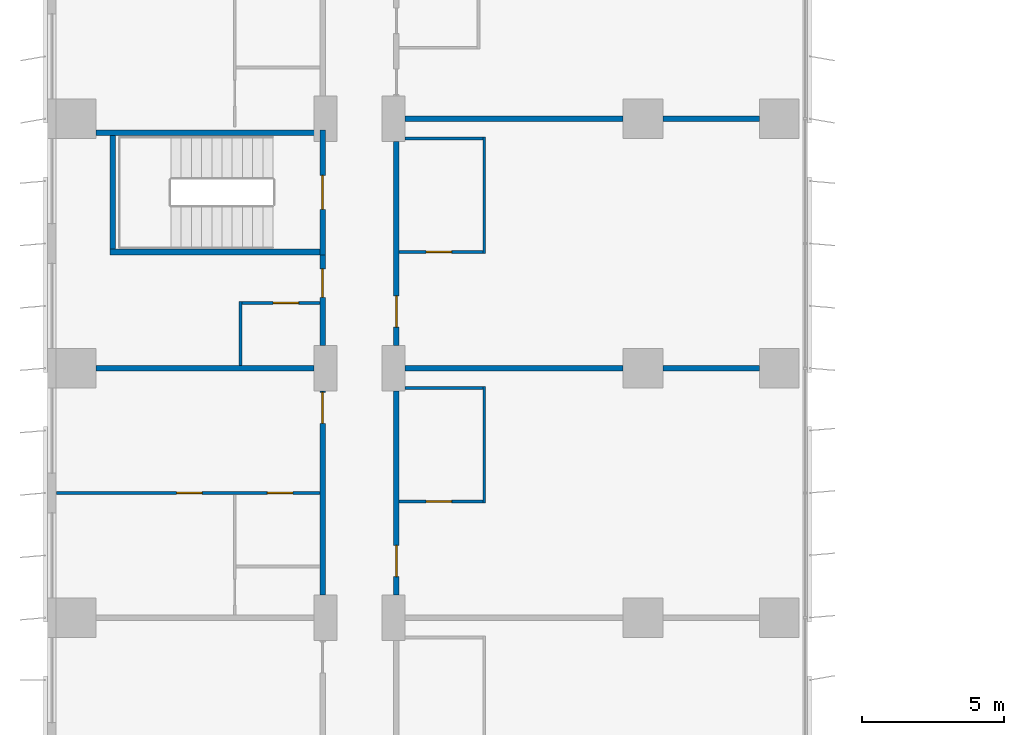
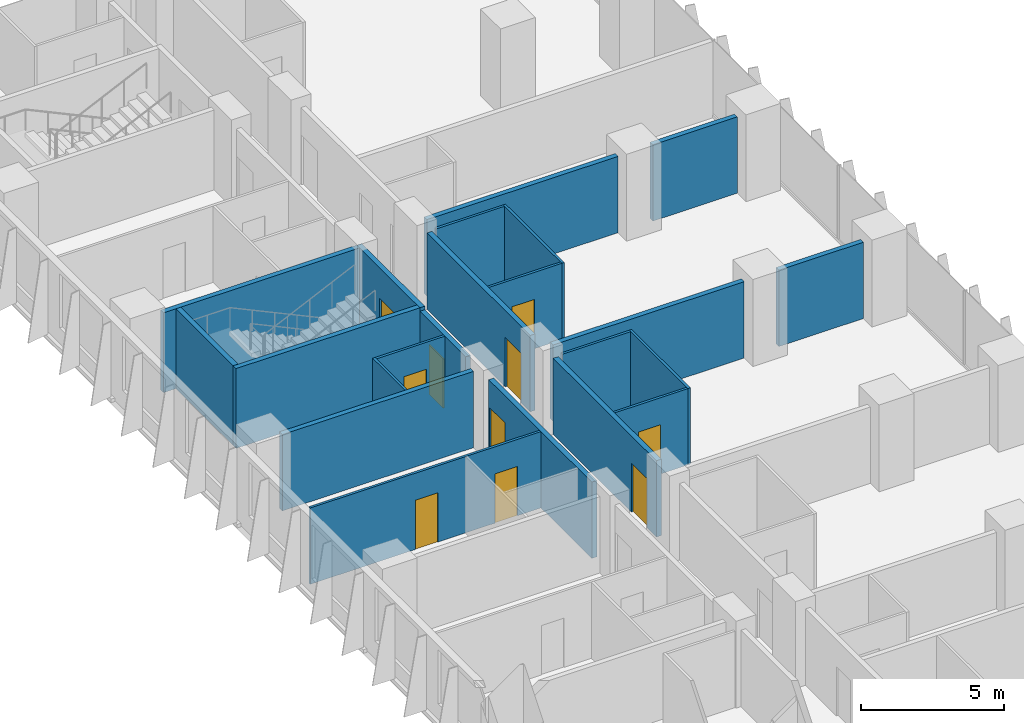
# One storey, part 17 of 24: 22 walls, 10 doors, 10 openings.
"""IFC4 building model written with IfcOpenShell, lengths in metres."""

from ifc_helpers import new_model, si_unit, direction, frame, frame_2d, origin, place, context, subcontext, project, spatial, rectangle, extrude, material, layer, layer_set, type_object, element, fill, save


model = new_model("IFC4")

# Units and contexts
model_context = context("Model", 3, precision=1e-05, world=origin(), true_north=direction((0.0, 1.0)))
body_context = subcontext(model_context, "Body", "Model", "MODEL_VIEW")
ifc_project = project(units=[si_unit("LENGTHUNIT", "METRE"), si_unit("AREAUNIT", "SQUARE_METRE"), si_unit("VOLUMEUNIT", "CUBIC_METRE"), si_unit("PLANEANGLEUNIT", "RADIAN"), si_unit("MASSUNIT", "GRAM", prefix="KILO")], contexts=[model_context])

# Site, building, storey
site_placement = place(None, origin())
site = spatial("IfcSite", under=ifc_project, at=site_placement, CompositionType="ELEMENT")
building_placement = place(site_placement, origin())
building = spatial("IfcBuilding", under=site, at=building_placement, Name="Kemantara Hotel Tower", CompositionType="ELEMENT")
storey_placement = place(building_placement, frame((0.0, 0.0, 79.699951171875)))
storey = spatial("IfcBuildingStorey", under=building, at=storey_placement, Name="L18", CompositionType="ELEMENT", Elevation=79.699951171875)

# Wall, opening, door
ifc_material_1 = material(Name="Gypsum board partition, steel studs and mineral wool, 200 mm", Category="steel")
ifc_layer_1 = layer(ifc_material_1, 0.199951171875)
ifc_layer_set_1 = layer_set([ifc_layer_1], Name="Gypsum board partition, steel studs and mineral wool, 200 mm")
wall_type_1 = type_object("IfcWallType", Name="CORRIDOR WALL 200", PredefinedType="PARTITIONING", material=ifc_layer_set_1)
wall_1_placement = place(storey_placement, frame((9.699951171875, 45.800048828125, 0.0), z_axis=(0.0, 0.0, 1.0), x_axis=(0.0, 1.0, 0.0)))
wall_1 = element("IfcWall", 1, at=wall_1_placement, inside=storey, type_object=wall_type_1, Name="CORRIDOR WALL 200 030", PredefinedType="PARTITIONING", context=body_context, shape_type="SweptSolid", body=[
    extrude(rectangle(XDim=7.199951171875, YDim=0.199951171875, at=frame_2d((3.60009765625, 0.0))), origin(), (0.0, 0.0, 1.0), 3.25),
])
opening_1_placement = place(wall_1_placement, frame((6.0498046875, 0.0, 0.0)))
opening_1 = element("IfcOpeningElement", 2, at=opening_1_placement, cuts=wall_1, Name="Opening F06-040", PredefinedType="OPENING", context=body_context, shape_type="SweptSolid", body=[
    extrude(rectangle(XDim=1.10009765625, YDim=2.10009765625, at=frame_2d((0.550048828125, 1.050048828125))), frame((0.0, 0.10986328125, 0.0), z_axis=(0.0, -1.0, 0.0), x_axis=(1.0, 0.0, 0.0)), (0.0, 0.0, 1.0), 0.219970703125),
])
ifc_material_2 = material(Name="Hardwood veneer door leaf with steel frame", Category="steel")
door_type_1 = type_object("IfcDoorType", Name="SUITE ENTRANCE DOOR 1100 X 2100 FD30S", OperationType="NOTDEFINED", PredefinedType="DOOR", material=ifc_material_2)
door_1_placement = place(opening_1_placement, origin())
door_1 = element("IfcDoor", 3, at=door_1_placement, inside=storey, type_object=door_type_1, Name="SUITE ENTRANCE DOOR F06-040", OperationType="SINGLE_SWING_RIGHT", OverallHeight=2.10009765625, OverallWidth=1.10009765625, PredefinedType="DOOR", context=body_context, shape_type="SweptSolid", body=[
    extrude(rectangle(XDim=1.10009765625, YDim=2.10009765625, at=frame_2d((0.550048828125, 1.050048828125))), frame((0.0, 0.02490234375, 0.0), z_axis=(0.0, -1.0, 0.0), x_axis=(1.0, 0.0, 0.0)), (0.0, 0.0, 1.0), 0.050048828125),
])
fill(opening_1, door_1)

wall_2_placement = place(storey_placement, frame((9.699951171875, 54.60009765625, 0.0), z_axis=(0.0, 0.0, 1.0), x_axis=(0.0, 1.0, 0.0)))
wall_2 = element("IfcWall", 4, at=wall_2_placement, inside=storey, type_object=wall_type_1, Name="CORRIDOR WALL 200 031", PredefinedType="PARTITIONING", context=body_context, shape_type="SweptSolid", body=[
    extrude(rectangle(XDim=3.199951171875, YDim=0.199951171875, at=frame_2d((1.60009765625, 0.0))), origin(), (0.0, 0.0, 1.0), 3.25),
])
opening_2_placement = place(wall_2_placement, frame((1.699951171875, 0.0, 0.0)))
opening_2 = element("IfcOpeningElement", 5, at=opening_2_placement, cuts=wall_2, Name="Opening F06-044", PredefinedType="OPENING", context=body_context, shape_type="SweptSolid", body=[
    extrude(rectangle(XDim=1.0, YDim=2.10009765625, at=frame_2d((0.5, 1.050048828125))), frame((0.0, 0.10986328125, 0.0), z_axis=(0.0, -1.0, 0.0), x_axis=(1.0, 0.0, 0.0)), (0.0, 0.0, 1.0), 0.219970703125),
])
door_type_2 = type_object("IfcDoorType", Name="GUEST ROOM DOOR 1000 X 2100 FD30S", OperationType="NOTDEFINED", PredefinedType="DOOR", material=ifc_material_2)
door_2_placement = place(opening_2_placement, origin())
door_2 = element("IfcDoor", 6, at=door_2_placement, inside=storey, type_object=door_type_2, Name="GUEST ROOM DOOR F06-044", OperationType="SINGLE_SWING_RIGHT", OverallHeight=2.10009765625, OverallWidth=1.0, PredefinedType="DOOR", context=body_context, shape_type="SweptSolid", body=[
    extrude(rectangle(XDim=1.0, YDim=2.10009765625, at=frame_2d((0.5, 1.050048828125))), frame((0.0, 0.02490234375, 0.0), z_axis=(0.0, -1.0, 0.0), x_axis=(1.0, 0.0, 0.0)), (0.0, 0.0, 1.0), 0.050048828125),
])
fill(opening_2, door_2)

wall_3_placement = place(storey_placement, frame((12.300048828125, 53.0, 0.0), z_axis=(0.0, 0.0, 1.0), x_axis=(0.0, -1.0, 0.0)))
wall_3 = element("IfcWall", 7, at=wall_3_placement, inside=storey, type_object=wall_type_1, Name="CORRIDOR WALL 200 047", PredefinedType="PARTITIONING", context=body_context, shape_type="SweptSolid", body=[
    extrude(rectangle(XDim=7.199951171875, YDim=0.199951171875, at=frame_2d((3.60009765625, 0.0))), origin(), (0.0, 0.0, 1.0), 3.25),
])
opening_3_placement = place(wall_3_placement, frame((5.449951171875, 0.0, 0.0)))
opening_3 = element("IfcOpeningElement", 8, at=opening_3_placement, cuts=wall_3, Name="Opening F06-058", PredefinedType="OPENING", context=body_context, shape_type="SweptSolid", body=[
    extrude(rectangle(XDim=1.10009765625, YDim=2.10009765625, at=frame_2d((0.550048828125, 1.050048828125))), frame((0.0, 0.10986328125, 0.0), z_axis=(0.0, -1.0, 0.0), x_axis=(1.0, 0.0, 0.0)), (0.0, 0.0, 1.0), 0.219970703125),
])
door_3_placement = place(opening_3_placement, origin())
door_3 = element("IfcDoor", 9, at=door_3_placement, inside=storey, type_object=door_type_1, Name="SUITE ENTRANCE DOOR F06-058", OperationType="SINGLE_SWING_RIGHT", OverallHeight=2.10009765625, OverallWidth=1.10009765625, PredefinedType="DOOR", context=body_context, shape_type="SweptSolid", body=[
    extrude(rectangle(XDim=1.10009765625, YDim=2.10009765625, at=frame_2d((0.550048828125, 1.050048828125))), frame((0.0, 0.02490234375, 0.0), z_axis=(0.0, -1.0, 0.0), x_axis=(1.0, 0.0, 0.0)), (0.0, 0.0, 1.0), 0.050048828125),
])
fill(opening_3, door_3)

wall_4_placement = place(storey_placement, frame((12.300048828125, 61.7998046875, 0.0), z_axis=(0.0, 0.0, 1.0), x_axis=(0.0, -1.0, 0.0)))
wall_4 = element("IfcWall", 10, at=wall_4_placement, inside=storey, type_object=wall_type_1, Name="CORRIDOR WALL 200 048", PredefinedType="PARTITIONING", context=body_context, shape_type="SweptSolid", body=[
    extrude(rectangle(XDim=7.19970703125, YDim=0.199951171875, at=frame_2d((3.599853515625, 0.0))), origin(), (0.0, 0.0, 1.0), 3.25),
])
opening_4_placement = place(wall_4_placement, frame((5.449951171875, 0.0, 0.0)))
opening_4 = element("IfcOpeningElement", 11, at=opening_4_placement, cuts=wall_4, Name="Opening F06-060", PredefinedType="OPENING", context=body_context, shape_type="SweptSolid", body=[
    extrude(rectangle(XDim=1.10009765625, YDim=2.10009765625, at=frame_2d((0.550048828125, 1.050048828125))), frame((0.0, 0.10986328125, 0.0), z_axis=(0.0, -1.0, 0.0), x_axis=(1.0, 0.0, 0.0)), (0.0, 0.0, 1.0), 0.219970703125),
])
door_4_placement = place(opening_4_placement, origin())
door_4 = element("IfcDoor", 12, at=door_4_placement, inside=storey, type_object=door_type_1, Name="SUITE ENTRANCE DOOR F06-060", OperationType="SINGLE_SWING_RIGHT", OverallHeight=2.10009765625, OverallWidth=1.10009765625, PredefinedType="DOOR", context=body_context, shape_type="SweptSolid", body=[
    extrude(rectangle(XDim=1.10009765625, YDim=2.10009765625, at=frame_2d((0.550048828125, 1.050048828125))), frame((0.0, 0.02490234375, 0.0), z_axis=(0.0, -1.0, 0.0), x_axis=(1.0, 0.0, 0.0)), (0.0, 0.0, 1.0), 0.050048828125),
])
fill(opening_4, door_4)

ifc_material_3 = material(Name="Concrete fc 40 MPa", Category="concrete")
ifc_layer_2 = layer(ifc_material_3, 0.199951171875)
ifc_layer_set_2 = layer_set([ifc_layer_2], Name="Concrete fc 40 MPa")
wall_type_2 = type_object("IfcWallType", Name="Concrete stair wall 200 mm", PredefinedType="SHEAR", material=ifc_layer_set_2)
wall_5_placement = place(storey_placement, frame((9.699951171875, 57.800048828125, 0.0), z_axis=(0.0, 0.0, 1.0), x_axis=(0.0, 1.0, 0.0)))
wall_5 = element("IfcWall", 13, at=wall_5_placement, inside=storey, type_object=wall_type_2, Name="Stair ST4 enclosure wall with door", PredefinedType="SHEAR", context=body_context, shape_type="SweptSolid", body=[
    extrude(rectangle(XDim=4.39990234375, YDim=0.199951171875, at=frame_2d((2.199951171875, 0.0))), origin(), (0.0, 0.0, 1.0), 3.400146484375),
])
opening_5_placement = place(wall_5_placement, frame((1.60009765625, 0.0, 0.0)))
opening_5 = element("IfcOpeningElement", 14, at=opening_5_placement, cuts=wall_5, Name="Opening ST4-C", PredefinedType="OPENING", context=body_context, shape_type="SweptSolid", body=[
    extrude(rectangle(XDim=1.199951171875, YDim=2.10009765625, at=frame_2d((0.60009765625, 1.050048828125))), frame((0.0, 0.10986328125, 0.0), z_axis=(0.0, -1.0, 0.0), x_axis=(1.0, 0.0, 0.0)), (0.0, 0.0, 1.0), 0.219970703125),
])
ifc_material_4 = material(Name="Steel fire door", Category="steel")
door_type_3 = type_object("IfcDoorType", Name="Fire door FD90 1200 x 2100", OperationType="NOTDEFINED", PredefinedType="DOOR", material=ifc_material_4)
door_5_placement = place(opening_5_placement, origin())
door_5 = element("IfcDoor", 15, at=door_5_placement, inside=storey, type_object=door_type_3, Name="Stair ST4 door", OperationType="SINGLE_SWING_RIGHT", OverallHeight=2.10009765625, OverallWidth=1.199951171875, PredefinedType="DOOR", context=body_context, shape_type="SweptSolid", body=[
    extrude(rectangle(XDim=1.199951171875, YDim=2.10009765625, at=frame_2d((0.60009765625, 1.050048828125))), frame((0.0, 0.02490234375, 0.0), z_axis=(0.0, -1.0, 0.0), x_axis=(1.0, 0.0, 0.0)), (0.0, 0.0, 1.0), 0.050048828125),
])
fill(opening_5, door_5)

# Walls
wall_6_placement = place(storey_placement, frame((1.699951171875, 62.10009765625, 0.0), z_axis=(0.0, 0.0, 1.0), x_axis=(1.0, 0.0, 0.0)))
element("IfcWall", 16, at=wall_6_placement, inside=storey, type_object=wall_type_2, Name="Stair ST4 enclosure wall N", PredefinedType="SHEAR", context=body_context, shape_type="SweptSolid", body=[
    extrude(rectangle(XDim=7.900146484375, YDim=0.199951171875, at=frame_2d((3.9501953125, 0.0))), origin(), (0.0, 0.0, 1.0), 3.400146484375),
])
wall_7_placement = place(storey_placement, frame((2.199951171875, 57.89990234375, 0.0), z_axis=(0.0, 0.0, 1.0), x_axis=(1.0, 0.0, 0.0)))
element("IfcWall", 17, at=wall_7_placement, inside=storey, type_object=wall_type_2, Name="Stair ST4 enclosure wall S", PredefinedType="SHEAR", context=body_context, shape_type="SweptSolid", body=[
    extrude(rectangle(XDim=7.400146484375, YDim=0.199951171875, at=frame_2d((3.7001953125, 0.0))), origin(), (0.0, 0.0, 1.0), 3.400146484375),
])
wall_8_placement = place(storey_placement, frame((2.300048828125, 58.0, 0.0), z_axis=(0.0, 0.0, 1.0), x_axis=(0.0, 1.0, 0.0)))
element("IfcWall", 18, at=wall_8_placement, inside=storey, type_object=wall_type_2, Name="Stair ST4 enclosure wall W", PredefinedType="SHEAR", context=body_context, shape_type="SweptSolid", body=[
    extrude(rectangle(XDim=4.0, YDim=0.199951171875, at=frame_2d((2.0, 0.0))), origin(), (0.0, 0.0, 1.0), 3.400146484375),
])
ifc_layer_3 = layer(ifc_material_1, 0.199951171875)
ifc_layer_set_3 = layer_set([ifc_layer_3], Name="Gypsum board partition, steel studs and mineral wool, 200 mm")
wall_type_3 = type_object("IfcWallType", Name="GUEST ROOM PARTY WALL 200", PredefinedType="PARTITIONING", material=ifc_layer_set_3)
for number, where, z_axis, x_axis, name in (
    (19, (1.7001953125, 53.800048828125, 0.0), (0.0, 0.0, 1.0), (1.0, 0.0, 0.0), "GUEST ROOM PARTY WALL 200 041"),
    (20, (12.60009765625, 53.800048828125, 0.0), (0.0, 0.0, 1.0), (1.0, 0.0, 0.0), "GUEST ROOM PARTY WALL 200 042"),
):
    element("IfcWall", number, at=place(storey_placement, frame(where, z_axis=z_axis, x_axis=x_axis)), inside=storey, type_object=wall_type_3, Name=name, PredefinedType="PARTITIONING", context=body_context, shape_type="SweptSolid", body=[
        extrude(rectangle(XDim=7.69970703125, YDim=0.199951171875, at=frame_2d((3.849853515625, 0.0))), origin(), (0.0, 0.0, 1.0), 3.25),
    ])
wall_9_placement = place(storey_placement, frame((21.7001953125, 53.800048828125, 0.0), z_axis=(0.0, 0.0, 1.0), x_axis=(1.0, 0.0, 0.0)))
element("IfcWall", 21, at=wall_9_placement, inside=storey, type_object=wall_type_3, Name="GUEST ROOM PARTY WALL 200 043", PredefinedType="PARTITIONING", context=body_context, shape_type="SweptSolid", body=[
    extrude(rectangle(XDim=3.399658203125, YDim=0.199951171875, at=frame_2d((1.69970703125, 0.0))), origin(), (0.0, 0.0, 1.0), 3.25),
])
wall_10_placement = place(storey_placement, frame((12.60009765625, 62.60009765625, 0.0), z_axis=(0.0, 0.0, 1.0), x_axis=(1.0, 0.0, 0.0)))
element("IfcWall", 22, at=wall_10_placement, inside=storey, type_object=wall_type_3, Name="GUEST ROOM PARTY WALL 200 055", PredefinedType="PARTITIONING", context=body_context, shape_type="SweptSolid", body=[
    extrude(rectangle(XDim=7.69970703125, YDim=0.199951171875, at=frame_2d((3.849853515625, 0.0))), origin(), (0.0, 0.0, 1.0), 3.25),
])
wall_11_placement = place(storey_placement, frame((21.7001953125, 62.60009765625, 0.0), z_axis=(0.0, 0.0, 1.0), x_axis=(1.0, 0.0, 0.0)))
element("IfcWall", 23, at=wall_11_placement, inside=storey, type_object=wall_type_3, Name="GUEST ROOM PARTY WALL 200 056", PredefinedType="PARTITIONING", context=body_context, shape_type="SweptSolid", body=[
    extrude(rectangle(XDim=3.399658203125, YDim=0.199951171875, at=frame_2d((1.69970703125, 0.0))), origin(), (0.0, 0.0, 1.0), 3.25),
])

# Wall, openings, doors
ifc_material_5 = material(Name="Gypsum board partition on steel studs, 100 mm", Category="steel")
ifc_layer_4 = layer(ifc_material_5, 0.10009765625)
ifc_layer_set_4 = layer_set([ifc_layer_4], Name="Gypsum board partition on steel studs, 100 mm")
wall_type_4 = type_object("IfcWallType", Name="ROOM PARTITION 100", PredefinedType="PARTITIONING", material=ifc_layer_set_4)
wall_12_placement = place(storey_placement, frame((0.31005859375, 49.39990234375, 0.0), z_axis=(0.0, 0.0, 1.0), x_axis=(1.0, 0.0, 0.0)))
wall_12 = element("IfcWall", 24, at=wall_12_placement, inside=storey, type_object=wall_type_4, Name="ROOM PARTITION 100 099", PredefinedType="PARTITIONING", context=body_context, shape_type="SweptSolid", body=[
    extrude(rectangle(XDim=9.2900390625, YDim=0.10009765625, at=frame_2d((4.64501953125, 0.0))), origin(), (0.0, 0.0, 1.0), 3.25),
])
opening_6_placement = place(wall_12_placement, frame((7.43994140625, 0.0, 0.0)))
opening_6 = element("IfcOpeningElement", 25, at=opening_6_placement, cuts=wall_12, Name="Opening F06-041", PredefinedType="OPENING", context=body_context, shape_type="SweptSolid", body=[
    extrude(rectangle(XDim=0.89990234375, YDim=2.10009765625, at=frame_2d((0.449951171875, 1.050048828125))), frame((0.0, 0.06005859375, 0.0), z_axis=(0.0, -1.0, 0.0), x_axis=(1.0, 0.0, 0.0)), (0.0, 0.0, 1.0), 0.1201171875),
])
opening_7_placement = place(wall_12_placement, frame((4.239990234375, 0.0, 0.0)))
opening_7 = element("IfcOpeningElement", 26, at=opening_7_placement, cuts=wall_12, Name="Opening F06-042", PredefinedType="OPENING", context=body_context, shape_type="SweptSolid", body=[
    extrude(rectangle(XDim=0.89990234375, YDim=2.10009765625, at=frame_2d((0.449951171875, 1.050048828125))), frame((0.0, 0.06005859375, 0.0), z_axis=(0.0, -1.0, 0.0), x_axis=(1.0, 0.0, 0.0)), (0.0, 0.0, 1.0), 0.1201171875),
])
door_type_4 = type_object("IfcDoorType", Name="INTERNAL DOOR 900 X 2100", OperationType="NOTDEFINED", PredefinedType="DOOR", material=ifc_material_2)
door_6_placement = place(opening_7_placement, frame((0.89990234375, 0.0, 0.0), z_axis=(0.0, 0.0, 1.0), x_axis=(-1.0, 0.0, 0.0)))
door_6 = element("IfcDoor", 27, at=door_6_placement, inside=storey, type_object=door_type_4, Name="INTERNAL DOOR F06-042", OperationType="SINGLE_SWING_RIGHT", OverallHeight=2.10009765625, OverallWidth=0.89990234375, PredefinedType="DOOR", context=body_context, shape_type="SweptSolid", body=[
    extrude(rectangle(XDim=0.89990234375, YDim=2.10009765625, at=frame_2d((0.449951171875, 1.050048828125))), frame((0.0, 0.02490234375, 0.0), z_axis=(0.0, -1.0, 0.0), x_axis=(1.0, 0.0, 0.0)), (0.0, 0.0, 1.0), 0.050048828125),
])
fill(opening_7, door_6)
door_type_5 = type_object("IfcDoorType", Name="PANTRY DOOR 900 X 2100", OperationType="NOTDEFINED", PredefinedType="DOOR", material=ifc_material_2)
door_7_placement = place(opening_6_placement, origin())
door_7 = element("IfcDoor", 28, at=door_7_placement, inside=storey, type_object=door_type_5, Name="PANTRY DOOR F06-041", OperationType="SINGLE_SWING_RIGHT", OverallHeight=2.10009765625, OverallWidth=0.89990234375, PredefinedType="DOOR", context=body_context, shape_type="SweptSolid", body=[
    extrude(rectangle(XDim=0.89990234375, YDim=2.10009765625, at=frame_2d((0.449951171875, 1.050048828125))), frame((0.0, 0.02490234375, 0.0), z_axis=(0.0, -1.0, 0.0), x_axis=(1.0, 0.0, 0.0)), (0.0, 0.0, 1.0), 0.050048828125),
])
fill(opening_6, door_7)

# Wall
wall_13_placement = place(storey_placement, frame((6.800048828125, 53.89990234375, 0.0), z_axis=(0.0, 0.0, 1.0), x_axis=(0.0, 1.0, 0.0)))
element("IfcWall", 29, at=wall_13_placement, inside=storey, type_object=wall_type_4, Name="ROOM PARTITION 100 101", PredefinedType="PARTITIONING", context=body_context, shape_type="SweptSolid", body=[
    extrude(rectangle(XDim=2.25, YDim=0.10009765625, at=frame_2d((1.125, 0.0))), origin(), (0.0, 0.0, 1.0), 3.25),
])

# Wall, opening, door
wall_14_placement = place(storey_placement, frame((9.60009765625, 56.10009765625, 0.0), z_axis=(0.0, 0.0, 1.0), x_axis=(-1.0, 0.0, 0.0)))
wall_14 = element("IfcWall", 30, at=wall_14_placement, inside=storey, type_object=wall_type_4, Name="ROOM PARTITION 100 102", PredefinedType="PARTITIONING", context=body_context, shape_type="SweptSolid", body=[
    extrude(rectangle(XDim=2.75, YDim=0.10009765625, at=frame_2d((1.375, 0.0))), origin(), (0.0, 0.0, 1.0), 3.25),
])
opening_8_placement = place(wall_14_placement, frame((0.75, 0.0, 0.0)))
opening_8 = element("IfcOpeningElement", 31, at=opening_8_placement, cuts=wall_14, Name="Opening F06-045", PredefinedType="OPENING", context=body_context, shape_type="SweptSolid", body=[
    extrude(rectangle(XDim=0.89990234375, YDim=2.10009765625, at=frame_2d((0.449951171875, 1.050048828125))), frame((0.0, 0.06005859375, 0.0), z_axis=(0.0, -1.0, 0.0), x_axis=(1.0, 0.0, 0.0)), (0.0, 0.0, 1.0), 0.1201171875),
])
door_type_6 = type_object("IfcDoorType", Name="BATHROOM DOOR 900 X 2100", OperationType="NOTDEFINED", PredefinedType="DOOR", material=ifc_material_2)
door_8_placement = place(opening_8_placement, origin())
door_8 = element("IfcDoor", 32, at=door_8_placement, inside=storey, type_object=door_type_6, Name="BATHROOM DOOR F06-045", OperationType="SINGLE_SWING_LEFT", OverallHeight=2.10009765625, OverallWidth=0.89990234375, PredefinedType="DOOR", context=body_context, shape_type="SweptSolid", body=[
    extrude(rectangle(XDim=0.89990234375, YDim=2.10009765625, at=frame_2d((0.449951171875, 1.050048828125))), frame((0.0, 0.02490234375, 0.0), z_axis=(0.0, -1.0, 0.0), x_axis=(1.0, 0.0, 0.0)), (0.0, 0.0, 1.0), 0.050048828125),
])
fill(opening_8, door_8)

# Walls
for number, where, z_axis, x_axis, name in (
    (33, (15.39990234375, 49.050048828125, 0.0), (0.0, 0.0, 1.0), (0.0, 1.0, 0.0), "ROOM PARTITION 100 108"),
    (34, (15.39990234375, 57.85009765625, 0.0), (0.0, 0.0, 1.0), (0.0, 1.0, 0.0), "ROOM PARTITION 100 109"),
):
    element("IfcWall", number, at=place(storey_placement, frame(where, z_axis=z_axis, x_axis=x_axis)), inside=storey, type_object=wall_type_4, Name=name, PredefinedType="PARTITIONING", context=body_context, shape_type="SweptSolid", body=[
        extrude(rectangle(XDim=4.099853515625, YDim=0.10009765625, at=frame_2d((2.0498046875, 0.0))), origin(), (0.0, 0.0, 1.0), 3.25),
    ])

# Wall, opening, door
wall_15_placement = place(storey_placement, frame((12.39990234375, 49.10009765625, 0.0), z_axis=(0.0, 0.0, 1.0), x_axis=(1.0, 0.0, 0.0)))
wall_15 = element("IfcWall", 35, at=wall_15_placement, inside=storey, type_object=wall_type_4, Name="ROOM PARTITION 100 116", PredefinedType="PARTITIONING", context=body_context, shape_type="SweptSolid", body=[
    extrude(rectangle(XDim=2.9501953125, YDim=0.10009765625, at=frame_2d((1.47509765625, 0.0))), origin(), (0.0, 0.0, 1.0), 3.25),
])
opening_9_placement = place(wall_15_placement, frame((0.949951171875, 0.0, 0.0)))
opening_9 = element("IfcOpeningElement", 36, at=opening_9_placement, cuts=wall_15, Name="Opening F06-059", PredefinedType="OPENING", context=body_context, shape_type="SweptSolid", body=[
    extrude(rectangle(XDim=0.89990234375, YDim=2.10009765625, at=frame_2d((0.449951171875, 1.050048828125))), frame((0.0, 0.06005859375, 0.0), z_axis=(0.0, -1.0, 0.0), x_axis=(1.0, 0.0, 0.0)), (0.0, 0.0, 1.0), 0.1201171875),
])
door_9_placement = place(opening_9_placement, origin())
door_9 = element("IfcDoor", 37, at=door_9_placement, inside=storey, type_object=door_type_6, Name="BATHROOM DOOR F06-059", OperationType="SINGLE_SWING_LEFT", OverallHeight=2.10009765625, OverallWidth=0.89990234375, PredefinedType="DOOR", context=body_context, shape_type="SweptSolid", body=[
    extrude(rectangle(XDim=0.89990234375, YDim=2.10009765625, at=frame_2d((0.449951171875, 1.050048828125))), frame((0.0, 0.02490234375, 0.0), z_axis=(0.0, -1.0, 0.0), x_axis=(1.0, 0.0, 0.0)), (0.0, 0.0, 1.0), 0.050048828125),
])
fill(opening_9, door_9)

# Wall
wall_16_placement = place(storey_placement, frame((12.60009765625, 53.10009765625, 0.0), z_axis=(0.0, 0.0, 1.0), x_axis=(1.0, 0.0, 0.0)))
element("IfcWall", 38, at=wall_16_placement, inside=storey, type_object=wall_type_4, Name="ROOM PARTITION 100 117", PredefinedType="PARTITIONING", context=body_context, shape_type="SweptSolid", body=[
    extrude(rectangle(XDim=2.75, YDim=0.10009765625, at=frame_2d((1.375, 0.0))), origin(), (0.0, 0.0, 1.0), 3.25),
])

# Wall, opening, door
wall_17_placement = place(storey_placement, frame((12.39990234375, 57.89990234375, 0.0), z_axis=(0.0, 0.0, 1.0), x_axis=(1.0, 0.0, 0.0)))
wall_17 = element("IfcWall", 39, at=wall_17_placement, inside=storey, type_object=wall_type_4, Name="ROOM PARTITION 100 118", PredefinedType="PARTITIONING", context=body_context, shape_type="SweptSolid", body=[
    extrude(rectangle(XDim=2.9501953125, YDim=0.10009765625, at=frame_2d((1.47509765625, 0.0))), origin(), (0.0, 0.0, 1.0), 3.25),
])
opening_10_placement = place(wall_17_placement, frame((0.949951171875, 0.0, 0.0)))
opening_10 = element("IfcOpeningElement", 40, at=opening_10_placement, cuts=wall_17, Name="Opening F06-061", PredefinedType="OPENING", context=body_context, shape_type="SweptSolid", body=[
    extrude(rectangle(XDim=0.89990234375, YDim=2.10009765625, at=frame_2d((0.449951171875, 1.050048828125))), frame((0.0, 0.06005859375, 0.0), z_axis=(0.0, -1.0, 0.0), x_axis=(1.0, 0.0, 0.0)), (0.0, 0.0, 1.0), 0.1201171875),
])
door_10_placement = place(opening_10_placement, origin())
door_10 = element("IfcDoor", 41, at=door_10_placement, inside=storey, type_object=door_type_6, Name="BATHROOM DOOR F06-061", OperationType="SINGLE_SWING_LEFT", OverallHeight=2.10009765625, OverallWidth=0.89990234375, PredefinedType="DOOR", context=body_context, shape_type="SweptSolid", body=[
    extrude(rectangle(XDim=0.89990234375, YDim=2.10009765625, at=frame_2d((0.449951171875, 1.050048828125))), frame((0.0, 0.02490234375, 0.0), z_axis=(0.0, -1.0, 0.0), x_axis=(1.0, 0.0, 0.0)), (0.0, 0.0, 1.0), 0.050048828125),
])
fill(opening_10, door_10)

# Wall
wall_18_placement = place(storey_placement, frame((12.60009765625, 61.89990234375, 0.0), z_axis=(0.0, 0.0, 1.0), x_axis=(1.0, 0.0, 0.0)))
element("IfcWall", 42, at=wall_18_placement, inside=storey, type_object=wall_type_4, Name="ROOM PARTITION 100 119", PredefinedType="PARTITIONING", context=body_context, shape_type="SweptSolid", body=[
    extrude(rectangle(XDim=2.75, YDim=0.10009765625, at=frame_2d((1.375, 0.0))), origin(), (0.0, 0.0, 1.0), 3.25),
])

save(model, "model.ifc")
